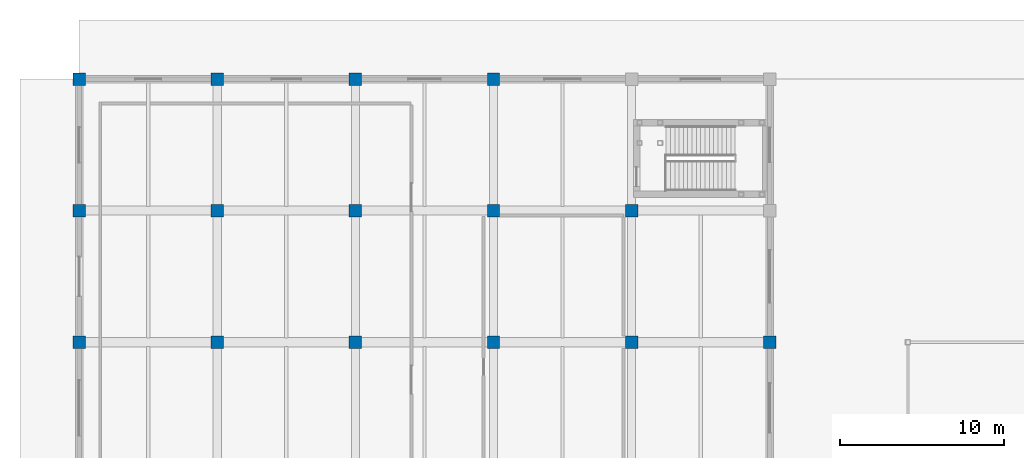
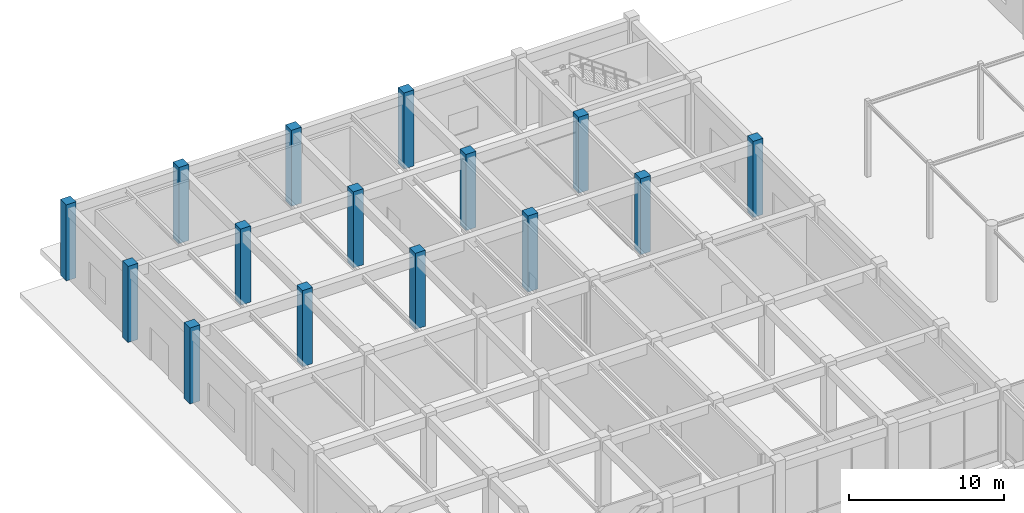
# One storey, part 11 of 76: 15 columns.
"""IFC4 building model written with IfcOpenShell, lengths in metres."""

import ifcopenshell
import ifcopenshell.guid

model = None  # the IFC model being written
_history = None  # IfcOwnerHistory: only IFC2X3 demands one
_inside = {}  # id of a spatial element -> (the spatial element, [elements in it])
_under = {}  # id of a project, library or spatial element -> (it, [spatial elements below it])
_declared = {}  # id of a project -> (the project, [libraries it declares])
_typed = {}  # id of a type object -> (the type object, [elements of that type])
_made_of = {}  # id of a material, layer set ... -> (it, [elements and type objects made of it])


def new_model(schema):
    """Start an empty IFC model of exactly this schema.

    Asked for "IFC4X3", IfcOpenShell would pick the latest addendum, in which some entities
    have other attributes; the version numbers below select the first issue.
    IFC2X3 requires an IfcOwnerHistory on every rooted entity: one is made here for all.
    """
    global model, _history
    if schema == "IFC4X3":
        model = ifcopenshell.file(schema_version=(4, 3, 0, 0))
    else:
        model = ifcopenshell.file(schema=schema)
    _inside.clear()
    _under.clear()
    _declared.clear()
    _typed.clear()
    _made_of.clear()
    _history = None
    if model.schema == "IFC2X3":
        org = make("IfcOrganization", Name="unknown")
        user = make(
            "IfcPersonAndOrganization",
            ThePerson=make("IfcPerson", FamilyName="unknown"),
            TheOrganization=org,
        )
        app = make(
            "IfcApplication",
            ApplicationDeveloper=org,
            Version="unknown",
            ApplicationFullName="unknown",
            ApplicationIdentifier="unknown",
        )
        _history = make(
            "IfcOwnerHistory",
            OwningUser=user,
            OwningApplication=app,
            ChangeAction="ADDED",
            CreationDate=0,
        )
    return model


def make(cls, **values):
    """One entity of the class cls with the attributes given. An attribute that is None is left unset."""
    return model.create_entity(
        cls, **{name: value for name, value in values.items() if value is not None}
    )


def rooted(cls, **values):
    """An entity with a GlobalId (a new one), such as an element, a storey or a relation."""
    return make(cls, GlobalId=ifcopenshell.guid.new(), OwnerHistory=_history, **values)


def si_unit(unit_type, name, prefix=None):
    """IfcSIUnit, for example si_unit("LENGTHUNIT", "METRE", prefix="MILLI")."""
    return make("IfcSIUnit", UnitType=unit_type, Prefix=prefix, Name=name)


def assignment(units):
    """IfcUnitAssignment: the units of a project."""
    return None if units is None else make("IfcUnitAssignment", Units=units)


def point(xyz):
    """IfcCartesianPoint."""
    return None if xyz is None else make("IfcCartesianPoint", Coordinates=xyz)


def direction(xyz):
    """IfcDirection."""
    return None if xyz is None else make("IfcDirection", DirectionRatios=xyz)


def frame(location, z_axis=None, x_axis=None):
    """IfcAxis2Placement3D, a coordinate frame: its origin and axes. An axis left out is left unset."""
    return make(
        "IfcAxis2Placement3D",
        Location=point(location),
        Axis=direction(z_axis),
        RefDirection=direction(x_axis),
    )


def frame_2d(location, x_axis=None):
    """IfcAxis2Placement2D, a coordinate frame in the plane: its origin and x axis."""
    return make(
        "IfcAxis2Placement2D", Location=point(location), RefDirection=direction(x_axis)
    )


def origin():
    """The frame at (0, 0, 0) with its axes left unset."""
    return frame((0.0, 0.0, 0.0))


def origin_2d():
    """The frame at (0, 0) in the plane with its x axis left unset."""
    return frame_2d((0.0, 0.0))


def place(relative_to, where):
    """IfcLocalPlacement: puts the frame where relative to a parent placement (None: the world)."""
    return make(
        "IfcLocalPlacement", PlacementRelTo=relative_to, RelativePlacement=where
    )


def context(
    kind, dimensions, precision=None, world=None, true_north=None, identifier=None
):
    """IfcGeometricRepresentationContext, for example the 3D "Model" context."""
    return make(
        "IfcGeometricRepresentationContext",
        ContextIdentifier=identifier,
        ContextType=kind,
        CoordinateSpaceDimension=dimensions,
        Precision=precision,
        WorldCoordinateSystem=world,
        TrueNorth=true_north,
    )


def subcontext(parent, identifier, kind, view, scale=None):
    """IfcGeometricRepresentationSubContext, for example "Body" below "Model"."""
    return make(
        "IfcGeometricRepresentationSubContext",
        ContextIdentifier=identifier,
        ContextType=kind,
        ParentContext=parent,
        TargetScale=scale,
        TargetView=view,
    )


def project(units=None, contexts=None):
    """IfcProject with its units and contexts."""
    return rooted(
        "IfcProject",
        Name="project",
        RepresentationContexts=contexts,
        UnitsInContext=assignment(units),
    )


def spatial(cls, under=None, at=None, **own):
    """A site, building, storey or space (cls), placed at a placement, below another one or the project."""
    s = rooted(cls, ObjectPlacement=at, **own)
    if under is not None:
        _under.setdefault(under.id(), (under, []))[1].append(s)
    return s


def profile(cls, at=None, kind="AREA", **sizes):
    """A parametric profile (cls). Its sizes go by their IFC names, for example OverallWidth=200.0."""
    return make(cls, ProfileType=kind, Position=at, **sizes)


def rectangle(**sizes):
    """IfcRectangleProfileDef."""
    return profile("IfcRectangleProfileDef", **sizes)


def extrude(swept, where, along, depth):
    """IfcExtrudedAreaSolid: the profile swept, set in the frame where, extruded along a direction by depth."""
    return make(
        "IfcExtrudedAreaSolid",
        SweptArea=swept,
        Position=where,
        ExtrudedDirection=direction(along),
        Depth=depth,
    )


def shape(context_of_items, identifier, shape_type, items):
    """IfcShapeRepresentation: the items that make up one representation, for example the "Body"."""
    return make(
        "IfcShapeRepresentation",
        ContextOfItems=context_of_items,
        RepresentationIdentifier=identifier,
        RepresentationType=shape_type,
        Items=items,
    )


def material(Name=None, Category=None):
    """IfcMaterial."""
    return make("IfcMaterial", Name=Name, Category=Category)


def material_profile(
    of_material, cross_section, Name=None, Category=None, Priority=None
):
    """IfcMaterialProfile: a cross section and its material."""
    return make(
        "IfcMaterialProfile",
        Name=Name,
        Material=of_material,
        Profile=cross_section,
        Priority=Priority,
        Category=Category,
    )


def profile_set(profiles, Name=None, composite=None):
    """IfcMaterialProfileSet."""
    return make(
        "IfcMaterialProfileSet",
        Name=Name,
        MaterialProfiles=profiles,
        CompositeProfile=composite,
    )


def made_of(thing, what):
    """Note that an element or type object is made of a material, layer set ...; save() writes the relation."""
    if what is not None:
        _made_of.setdefault(what.id(), (what, []))[1].append(thing)
    return thing


def type_object(cls, material=None, **own):
    """A type object (cls), such as IfcWallType, which elements share."""
    return made_of(rooted(cls, **own), material)


def element(
    cls,
    number,
    at=None,
    inside=None,
    cuts=None,
    type_object=None,
    material=None,
    context=None,
    identifier="Body",
    shape_type=None,
    held_by="IfcProductDefinitionShape",
    body=None,
    shapes=None,
    **own,
):
    """One element of the class cls, such as IfcWall. Its Tag is "e" and its number.

    at: its placement. inside: the storey or other place that contains it. cuts: it is an
    opening in that element (IfcRelVoidsElement). A single representation is given by context,
    identifier, shape_type and body (its items); several are given by shapes. held_by: the class
    of the entity that holds the representations. save() writes the other relations.
    """
    e = rooted(cls, Tag="e%d" % number, ObjectPlacement=at, **own)
    if body is not None:
        shapes = [shape(context, identifier, shape_type, body)]
    if shapes is not None:
        e.Representation = make(held_by, Representations=shapes)
    if inside is not None:
        _inside.setdefault(inside.id(), (inside, []))[1].append(e)
    if cuts is not None:
        rooted(
            "IfcRelVoidsElement", RelatingBuildingElement=cuts, RelatedOpeningElement=e
        )
    if type_object is not None:
        _typed.setdefault(type_object.id(), (type_object, []))[1].append(e)
    return made_of(e, material)


def aggregate(whole, parts):
    """IfcRelAggregates: a whole, such as a stair, and the parts it consists of."""
    return rooted("IfcRelAggregates", RelatingObject=whole, RelatedObjects=parts)


def save(model, path):
    """Write the relations noted so far, then the file.

    IfcRelAggregates (storeys below a building ...), IfcRelContainedInSpatialStructure (elements
    in a storey), IfcRelDefinesByType, IfcRelAssociatesMaterial and IfcRelDeclares: one each for
    every whole, place, type object, material and project.
    """
    for whole, parts in _under.values():
        aggregate(whole, parts)
    for where, things in _inside.values():
        rooted(
            "IfcRelContainedInSpatialStructure",
            RelatedElements=things,
            RelatingStructure=where,
        )
    for kind, things in _typed.values():
        rooted("IfcRelDefinesByType", RelatedObjects=things, RelatingType=kind)
    for what, things in _made_of.values():
        rooted("IfcRelAssociatesMaterial", RelatedObjects=things, RelatingMaterial=what)
    for by, libraries in _declared.values():
        rooted("IfcRelDeclares", RelatingContext=by, RelatedDefinitions=libraries)
    model.write(path)


model = new_model("IFC4")

# Units and contexts
model_context = context("Model", 3, precision=1e-05, world=origin(), true_north=direction((0.0, 1.0)))
body_context = subcontext(model_context, "Body", "Model", "MODEL_VIEW")
ifc_project = project(units=[si_unit("LENGTHUNIT", "METRE"), si_unit("AREAUNIT", "SQUARE_METRE"), si_unit("VOLUMEUNIT", "CUBIC_METRE"), si_unit("PLANEANGLEUNIT", "RADIAN"), si_unit("MASSUNIT", "GRAM", prefix="KILO")], contexts=[model_context])

# Site, building, storey
site_placement = place(None, origin())
site = spatial("IfcSite", under=ifc_project, at=site_placement, CompositionType="ELEMENT")
building_placement = place(site_placement, origin())
building = spatial("IfcBuilding", under=site, at=building_placement, Name="Naruveol Harbour Congress Hotel", CompositionType="ELEMENT")
storey_placement = place(building_placement, origin())
storey = spatial("IfcBuildingStorey", under=building, at=storey_placement, Name="L00", CompositionType="ELEMENT", Elevation=0.0)

# Columns
ifc_material = material(Name="Concrete C50/60", Category="concrete")
ifc_material_profile = material_profile(ifc_material, rectangle(XDim=0.75, YDim=0.75, at=origin_2d()), Name="RC-750x750")
ifc_profile_set = profile_set([ifc_material_profile], Name="Concrete C50/60")
column_type = type_object("IfcColumnType", Name="RC WING COLUMN 750X750", PredefinedType="COLUMN", material=ifc_profile_set)
for number, where, z_axis, x_axis, name in (
    (1, (0.0, 96.0, 0.0), (0.0, 0.0, 1.0), (1.0, 0.0, 0.0), "Column C-750 L00 (0.0,96.0)"),
    (2, (0.0, 104.0, 0.0), (0.0, 0.0, 1.0), (1.0, 0.0, 0.0), "Column C-750 L00 (0.0,104.0)"),
    (3, (0.0, 112.0, 0.0), (0.0, 0.0, 1.0), (1.0, 0.0, 0.0), "Column C-750 L00 (0.0,112.0)"),
    (4, (8.39990234375, 96.0, 0.0), (0.0, 0.0, 1.0), (1.0, 0.0, 0.0), "Column C-750 L00 (8.4,96.0)"),
    (5, (8.39990234375, 104.0, 0.0), (0.0, 0.0, 1.0), (1.0, 0.0, 0.0), "Column C-750 L00 (8.4,104.0)"),
    (6, (8.39990234375, 112.0, 0.0), (0.0, 0.0, 1.0), (1.0, 0.0, 0.0), "Column C-750 L00 (8.4,112.0)"),
    (7, (16.800048828125, 96.0, 0.0), (0.0, 0.0, 1.0), (1.0, 0.0, 0.0), "Column C-750 L00 (16.8,96.0)"),
    (8, (16.800048828125, 104.0, 0.0), (0.0, 0.0, 1.0), (1.0, 0.0, 0.0), "Column C-750 L00 (16.8,104.0)"),
    (9, (16.800048828125, 112.0, 0.0), (0.0, 0.0, 1.0), (1.0, 0.0, 0.0), "Column C-750 L00 (16.8,112.0)"),
    (10, (25.199951171875, 96.0, 0.0), (0.0, 0.0, 1.0), (1.0, 0.0, 0.0), "Column C-750 L00 (25.2,96.0)"),
    (11, (25.199951171875, 104.0, 0.0), (0.0, 0.0, 1.0), (1.0, 0.0, 0.0), "Column C-750 L00 (25.2,104.0)"),
    (12, (25.199951171875, 112.0, 0.0), (0.0, 0.0, 1.0), (1.0, 0.0, 0.0), "Column C-750 L00 (25.2,112.0)"),
    (13, (33.60009765625, 96.0, 0.0), (0.0, 0.0, 1.0), (1.0, 0.0, 0.0), "Column C-750 L00 (33.6,96.0)"),
    (14, (33.60009765625, 104.0, 0.0), (0.0, 0.0, 1.0), (1.0, 0.0, 0.0), "Column C-750 L00 (33.6,104.0)"),
    (15, (42.0, 96.0, 0.0), (0.0, 0.0, 1.0), (1.0, 0.0, 0.0), "Column C-750 L00 (42.0,96.0)"),
):
    element("IfcColumn", number, at=place(storey_placement, frame(where, z_axis=z_axis, x_axis=x_axis)), inside=storey, type_object=column_type, Name=name, PredefinedType="COLUMN", context=body_context, shape_type="SweptSolid", body=[
        extrude(rectangle(XDim=0.75, YDim=0.75, at=origin_2d()), origin(), (0.0, 0.0, 1.0), 6.0),
    ])

save(model, "model.ifc")
